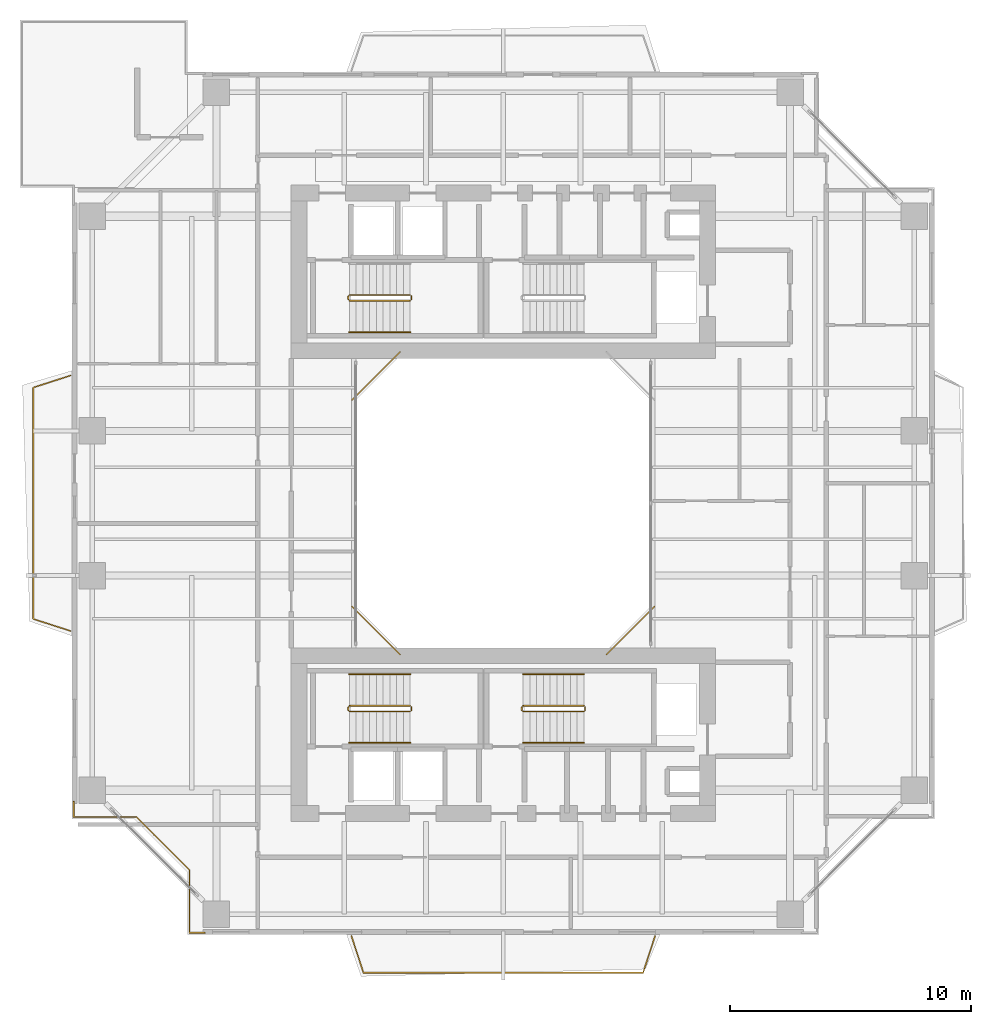
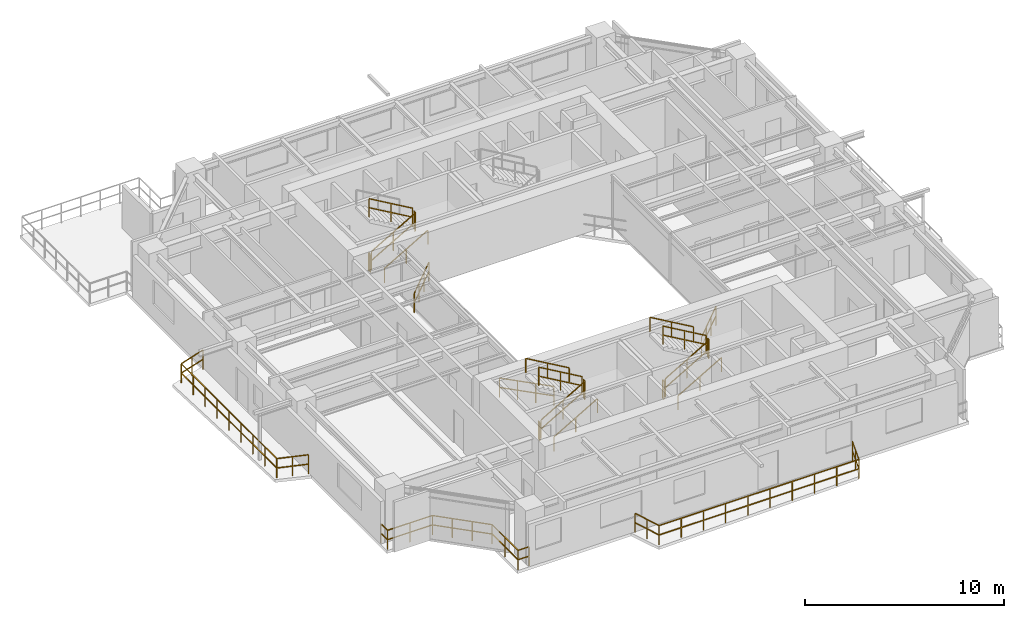
# One storey, part 15 of 17: 23 railings.
"""IFC4 building model written with IfcOpenShell, lengths in metres."""

import ifcopenshell
import ifcopenshell.guid

model = None  # the IFC model being written
_history = None  # IfcOwnerHistory: only IFC2X3 demands one
_inside = {}  # id of a spatial element -> (the spatial element, [elements in it])
_under = {}  # id of a project, library or spatial element -> (it, [spatial elements below it])
_declared = {}  # id of a project -> (the project, [libraries it declares])
_typed = {}  # id of a type object -> (the type object, [elements of that type])
_made_of = {}  # id of a material, layer set ... -> (it, [elements and type objects made of it])


def new_model(schema):
    """Start an empty IFC model of exactly this schema.

    Asked for "IFC4X3", IfcOpenShell would pick the latest addendum, in which some entities
    have other attributes; the version numbers below select the first issue.
    IFC2X3 requires an IfcOwnerHistory on every rooted entity: one is made here for all.
    """
    global model, _history
    if schema == "IFC4X3":
        model = ifcopenshell.file(schema_version=(4, 3, 0, 0))
    else:
        model = ifcopenshell.file(schema=schema)
    _inside.clear()
    _under.clear()
    _declared.clear()
    _typed.clear()
    _made_of.clear()
    _history = None
    if model.schema == "IFC2X3":
        org = make("IfcOrganization", Name="unknown")
        user = make(
            "IfcPersonAndOrganization",
            ThePerson=make("IfcPerson", FamilyName="unknown"),
            TheOrganization=org,
        )
        app = make(
            "IfcApplication",
            ApplicationDeveloper=org,
            Version="unknown",
            ApplicationFullName="unknown",
            ApplicationIdentifier="unknown",
        )
        _history = make(
            "IfcOwnerHistory",
            OwningUser=user,
            OwningApplication=app,
            ChangeAction="ADDED",
            CreationDate=0,
        )
    return model


def make(cls, **values):
    """One entity of the class cls with the attributes given. An attribute that is None is left unset."""
    return model.create_entity(
        cls, **{name: value for name, value in values.items() if value is not None}
    )


def rooted(cls, **values):
    """An entity with a GlobalId (a new one), such as an element, a storey or a relation."""
    return make(cls, GlobalId=ifcopenshell.guid.new(), OwnerHistory=_history, **values)


def si_unit(unit_type, name, prefix=None):
    """IfcSIUnit, for example si_unit("LENGTHUNIT", "METRE", prefix="MILLI")."""
    return make("IfcSIUnit", UnitType=unit_type, Prefix=prefix, Name=name)


def assignment(units):
    """IfcUnitAssignment: the units of a project."""
    return None if units is None else make("IfcUnitAssignment", Units=units)


def point(xyz):
    """IfcCartesianPoint."""
    return None if xyz is None else make("IfcCartesianPoint", Coordinates=xyz)


def direction(xyz):
    """IfcDirection."""
    return None if xyz is None else make("IfcDirection", DirectionRatios=xyz)


def frame(location, z_axis=None, x_axis=None):
    """IfcAxis2Placement3D, a coordinate frame: its origin and axes. An axis left out is left unset."""
    return make(
        "IfcAxis2Placement3D",
        Location=point(location),
        Axis=direction(z_axis),
        RefDirection=direction(x_axis),
    )


def frame_2d(location, x_axis=None):
    """IfcAxis2Placement2D, a coordinate frame in the plane: its origin and x axis."""
    return make(
        "IfcAxis2Placement2D", Location=point(location), RefDirection=direction(x_axis)
    )


def origin():
    """The frame at (0, 0, 0) with its axes left unset."""
    return frame((0.0, 0.0, 0.0))


def origin_2d():
    """The frame at (0, 0) in the plane with its x axis left unset."""
    return frame_2d((0.0, 0.0))


def place(relative_to, where):
    """IfcLocalPlacement: puts the frame where relative to a parent placement (None: the world)."""
    return make(
        "IfcLocalPlacement", PlacementRelTo=relative_to, RelativePlacement=where
    )


def context(
    kind, dimensions, precision=None, world=None, true_north=None, identifier=None
):
    """IfcGeometricRepresentationContext, for example the 3D "Model" context."""
    return make(
        "IfcGeometricRepresentationContext",
        ContextIdentifier=identifier,
        ContextType=kind,
        CoordinateSpaceDimension=dimensions,
        Precision=precision,
        WorldCoordinateSystem=world,
        TrueNorth=true_north,
    )


def subcontext(parent, identifier, kind, view, scale=None):
    """IfcGeometricRepresentationSubContext, for example "Body" below "Model"."""
    return make(
        "IfcGeometricRepresentationSubContext",
        ContextIdentifier=identifier,
        ContextType=kind,
        ParentContext=parent,
        TargetScale=scale,
        TargetView=view,
    )


def project(units=None, contexts=None):
    """IfcProject with its units and contexts."""
    return rooted(
        "IfcProject",
        Name="project",
        RepresentationContexts=contexts,
        UnitsInContext=assignment(units),
    )


def spatial(cls, under=None, at=None, **own):
    """A site, building, storey or space (cls), placed at a placement, below another one or the project."""
    s = rooted(cls, ObjectPlacement=at, **own)
    if under is not None:
        _under.setdefault(under.id(), (under, []))[1].append(s)
    return s


def profile(cls, at=None, kind="AREA", **sizes):
    """A parametric profile (cls). Its sizes go by their IFC names, for example OverallWidth=200.0."""
    return make(cls, ProfileType=kind, Position=at, **sizes)


def rectangle(**sizes):
    """IfcRectangleProfileDef."""
    return profile("IfcRectangleProfileDef", **sizes)


def extrude(swept, where, along, depth):
    """IfcExtrudedAreaSolid: the profile swept, set in the frame where, extruded along a direction by depth."""
    return make(
        "IfcExtrudedAreaSolid",
        SweptArea=swept,
        Position=where,
        ExtrudedDirection=direction(along),
        Depth=depth,
    )


def shape(context_of_items, identifier, shape_type, items):
    """IfcShapeRepresentation: the items that make up one representation, for example the "Body"."""
    return make(
        "IfcShapeRepresentation",
        ContextOfItems=context_of_items,
        RepresentationIdentifier=identifier,
        RepresentationType=shape_type,
        Items=items,
    )


def material(Name=None, Category=None):
    """IfcMaterial."""
    return make("IfcMaterial", Name=Name, Category=Category)


def made_of(thing, what):
    """Note that an element or type object is made of a material, layer set ...; save() writes the relation."""
    if what is not None:
        _made_of.setdefault(what.id(), (what, []))[1].append(thing)
    return thing


def type_object(cls, material=None, **own):
    """A type object (cls), such as IfcWallType, which elements share."""
    return made_of(rooted(cls, **own), material)


def element(
    cls,
    number,
    at=None,
    inside=None,
    cuts=None,
    type_object=None,
    material=None,
    context=None,
    identifier="Body",
    shape_type=None,
    held_by="IfcProductDefinitionShape",
    body=None,
    shapes=None,
    **own,
):
    """One element of the class cls, such as IfcWall. Its Tag is "e" and its number.

    at: its placement. inside: the storey or other place that contains it. cuts: it is an
    opening in that element (IfcRelVoidsElement). A single representation is given by context,
    identifier, shape_type and body (its items); several are given by shapes. held_by: the class
    of the entity that holds the representations. save() writes the other relations.
    """
    e = rooted(cls, Tag="e%d" % number, ObjectPlacement=at, **own)
    if body is not None:
        shapes = [shape(context, identifier, shape_type, body)]
    if shapes is not None:
        e.Representation = make(held_by, Representations=shapes)
    if inside is not None:
        _inside.setdefault(inside.id(), (inside, []))[1].append(e)
    if cuts is not None:
        rooted(
            "IfcRelVoidsElement", RelatingBuildingElement=cuts, RelatedOpeningElement=e
        )
    if type_object is not None:
        _typed.setdefault(type_object.id(), (type_object, []))[1].append(e)
    return made_of(e, material)


def aggregate(whole, parts):
    """IfcRelAggregates: a whole, such as a stair, and the parts it consists of."""
    return rooted("IfcRelAggregates", RelatingObject=whole, RelatedObjects=parts)


def save(model, path):
    """Write the relations noted so far, then the file.

    IfcRelAggregates (storeys below a building ...), IfcRelContainedInSpatialStructure (elements
    in a storey), IfcRelDefinesByType, IfcRelAssociatesMaterial and IfcRelDeclares: one each for
    every whole, place, type object, material and project.
    """
    for whole, parts in _under.values():
        aggregate(whole, parts)
    for where, things in _inside.values():
        rooted(
            "IfcRelContainedInSpatialStructure",
            RelatedElements=things,
            RelatingStructure=where,
        )
    for kind, things in _typed.values():
        rooted("IfcRelDefinesByType", RelatedObjects=things, RelatingType=kind)
    for what, things in _made_of.values():
        rooted("IfcRelAssociatesMaterial", RelatedObjects=things, RelatingMaterial=what)
    for by, libraries in _declared.values():
        rooted("IfcRelDeclares", RelatingContext=by, RelatedDefinitions=libraries)
    model.write(path)


model = new_model("IFC4")

# Units and contexts
model_context = context("Model", 3, precision=1e-05, world=origin(), true_north=direction((0.0, 1.0)))
body_context = subcontext(model_context, "Body", "Model", "MODEL_VIEW")
ifc_project = project(units=[si_unit("LENGTHUNIT", "METRE"), si_unit("AREAUNIT", "SQUARE_METRE"), si_unit("VOLUMEUNIT", "CUBIC_METRE"), si_unit("PLANEANGLEUNIT", "RADIAN"), si_unit("MASSUNIT", "GRAM", prefix="KILO"), si_unit("THERMODYNAMICTEMPERATUREUNIT", "KELVIN"), si_unit("POWERUNIT", "WATT")], contexts=[model_context])

# Site, building, storey
site_placement = place(None, origin())
site = spatial("IfcSite", under=ifc_project, at=site_placement, CompositionType="ELEMENT")
building_placement = place(site_placement, origin())
building = spatial("IfcBuilding", under=site, at=building_placement, Name="Qiaomeng Ring Towers", CompositionType="ELEMENT")
storey_placement = place(building_placement, frame((0.0, 0.0, 132.75)))
storey = spatial("IfcBuildingStorey", under=building, at=storey_placement, Name="L38", CompositionType="ELEMENT", Elevation=132.75)

# Railings
ifc_material_1 = material(Name="Low-E pale-green laminated safety glass", Category="glass")
railing_type_1 = type_object("IfcRailingType", Name="ARC-RL-BAL1", PredefinedType="BALUSTRADE", material=ifc_material_1)
railing_1_placement = place(storey_placement, frame((23.280029296875, 16.719970703125, 0.0)))
element("IfcRailing", 1, at=railing_1_placement, inside=storey, type_object=railing_type_1, Name="L38 Balustrade ARC-BAL-WELL1-L38-1", PredefinedType="BALUSTRADE", context=body_context, shape_type="SweptSolid", body=[
    extrude(rectangle(XDim=0.048095703125, YDim=0.048095703125, at=origin_2d()), frame((0.0, 0.0, 1.17578125), z_axis=(0.707106781187, 0.707106781187, 0.0), x_axis=(-0.707106781187, 0.707106781187, 0.0)), (0.0, 0.0, 1.0), 2.828369140625),
    extrude(rectangle(XDim=0.048095703125, YDim=0.048095703125, at=origin_2d()), frame((0.0, 0.0, 0.60009765625), z_axis=(0.707106781187, 0.707106781187, 0.0), x_axis=(-0.707106781187, 0.707106781187, 0.0)), (0.0, 0.0, 1.0), 2.828369140625),
    extrude(rectangle(XDim=0.0419921875, YDim=0.0419921875, at=origin_2d()), origin(), (0.0, 0.0, 1.0), 1.15185546875),
    extrude(rectangle(XDim=0.0419921875, YDim=0.0419921875, at=origin_2d()), frame((0.666748046875, 0.666748046875, 0.0)), (0.0, 0.0, 1.0), 1.15185546875),
    extrude(rectangle(XDim=0.0419921875, YDim=0.0419921875, at=origin_2d()), frame((1.333251953125, 1.333251953125, 0.0)), (0.0, 0.0, 1.0), 1.15185546875),
    extrude(rectangle(XDim=0.0419921875, YDim=0.0419921875, at=origin_2d()), frame((2.0, 2.0, 0.0)), (0.0, 0.0, 1.0), 1.15185546875),
])
railing_2_placement = place(storey_placement, frame((14.719970703125, 29.280029296875, 0.0)))
element("IfcRailing", 2, at=railing_2_placement, inside=storey, type_object=railing_type_1, Name="L38 Balustrade ARC-BAL-WELL1-L38-3", PredefinedType="BALUSTRADE", context=body_context, shape_type="SweptSolid", body=[
    extrude(rectangle(XDim=0.048095703125, YDim=0.048095703125, at=origin_2d()), frame((0.0, 0.0, 1.17578125), z_axis=(-0.707106781187, -0.707106781187, 0.0), x_axis=(0.707106781187, -0.707106781187, 0.0)), (0.0, 0.0, 1.0), 2.828369140625),
    extrude(rectangle(XDim=0.048095703125, YDim=0.048095703125, at=origin_2d()), frame((0.0, 0.0, 0.60009765625), z_axis=(-0.707106781187, -0.707106781187, 0.0), x_axis=(0.707106781187, -0.707106781187, 0.0)), (0.0, 0.0, 1.0), 2.828369140625),
    extrude(rectangle(XDim=0.0419921875, YDim=0.0419921875, at=origin_2d()), origin(), (0.0, 0.0, 1.0), 1.15185546875),
    extrude(rectangle(XDim=0.0419921875, YDim=0.0419921875, at=origin_2d()), frame((-0.666748046875, -0.666748046875, 0.0)), (0.0, 0.0, 1.0), 1.15185546875),
    extrude(rectangle(XDim=0.0419921875, YDim=0.0419921875, at=origin_2d()), frame((-1.333251953125, -1.333251953125, 0.0)), (0.0, 0.0, 1.0), 1.15185546875),
    extrude(rectangle(XDim=0.0419921875, YDim=0.0419921875, at=origin_2d()), frame((-2.0, -2.0, 0.0)), (0.0, 0.0, 1.0), 1.15185546875),
])
railing_3_placement = place(storey_placement, frame((12.719970703125, 18.719970703125, 0.0)))
element("IfcRailing", 3, at=railing_3_placement, inside=storey, type_object=railing_type_1, Name="L38 Balustrade ARC-BAL-WELL1-L38-4", PredefinedType="BALUSTRADE", context=body_context, shape_type="SweptSolid", body=[
    extrude(rectangle(XDim=0.048095703125, YDim=0.048095703125, at=origin_2d()), frame((0.0, 0.0, 1.17578125), z_axis=(0.707106781187, -0.707106781187, 0.0), x_axis=(0.707106781187, 0.707106781187, 0.0)), (0.0, 0.0, 1.0), 2.828369140625),
    extrude(rectangle(XDim=0.048095703125, YDim=0.048095703125, at=origin_2d()), frame((0.0, 0.0, 0.60009765625), z_axis=(0.707106781187, -0.707106781187, 0.0), x_axis=(0.707106781187, 0.707106781187, 0.0)), (0.0, 0.0, 1.0), 2.828369140625),
    extrude(rectangle(XDim=0.0419921875, YDim=0.0419921875, at=origin_2d()), origin(), (0.0, 0.0, 1.0), 1.15185546875),
    extrude(rectangle(XDim=0.0419921875, YDim=0.0419921875, at=origin_2d()), frame((0.666748046875, -0.666748046875, 0.0)), (0.0, 0.0, 1.0), 1.15185546875),
    extrude(rectangle(XDim=0.0419921875, YDim=0.0419921875, at=origin_2d()), frame((1.333251953125, -1.333251953125, 0.0)), (0.0, 0.0, 1.0), 1.15185546875),
    extrude(rectangle(XDim=0.0419921875, YDim=0.0419921875, at=origin_2d()), frame((2.0, -2.0, 0.0)), (0.0, 0.0, 1.0), 1.15185546875),
])
railing_4_placement = place(storey_placement, frame((1.179931640625, 10.6298828125, 0.0)))
element("IfcRailing", 4, at=railing_4_placement, inside=storey, type_object=railing_type_1, Name="L38 Balustrade ARC-BAL-NOTCH1-L38-SW", PredefinedType="BALUSTRADE", context=body_context, shape_type="SweptSolid", body=[
    extrude(rectangle(XDim=0.048095703125, YDim=0.048095703125, at=origin_2d()), frame((0.0, 0.0, 1.17578125), z_axis=(0.0, -1.0, 0.0), x_axis=(1.0, 0.0, 0.0)), (0.0, 0.0, 1.0), 0.64990234375),
    extrude(rectangle(XDim=0.048095703125, YDim=0.048095703125, at=origin_2d()), frame((0.0, 0.0, 0.60009765625), z_axis=(0.0, -1.0, 0.0), x_axis=(1.0, 0.0, 0.0)), (0.0, 0.0, 1.0), 0.64990234375),
    extrude(rectangle(XDim=0.048095703125, YDim=0.048095703125, at=origin_2d()), frame((0.0, -0.64990234375, 1.17578125), z_axis=(1.0, 0.0, 0.0), x_axis=(0.0, 1.0, 0.0)), (0.0, 0.0, 1.0), 2.60009765625),
    extrude(rectangle(XDim=0.048095703125, YDim=0.048095703125, at=origin_2d()), frame((0.0, -0.64990234375, 0.60009765625), z_axis=(1.0, 0.0, 0.0), x_axis=(0.0, 1.0, 0.0)), (0.0, 0.0, 1.0), 2.60009765625),
    extrude(rectangle(XDim=0.048095703125, YDim=0.048095703125, at=origin_2d()), frame((2.60009765625, -0.64990234375, 1.17578125), z_axis=(0.707106781187, -0.707106781187, 0.0), x_axis=(0.707106781187, 0.707106781187, 0.0)), (0.0, 0.0, 1.0), 3.111083984375),
    extrude(rectangle(XDim=0.048095703125, YDim=0.048095703125, at=origin_2d()), frame((2.60009765625, -0.64990234375, 0.60009765625), z_axis=(0.707106781187, -0.707106781187, 0.0), x_axis=(0.707106781187, 0.707106781187, 0.0)), (0.0, 0.0, 1.0), 3.111083984375),
    extrude(rectangle(XDim=0.048095703125, YDim=0.048095703125, at=origin_2d()), frame((4.800048828125, -2.849853515625, 1.17578125), z_axis=(0.0, -1.0, 0.0), x_axis=(1.0, 0.0, 0.0)), (0.0, 0.0, 1.0), 2.60009765625),
    extrude(rectangle(XDim=0.048095703125, YDim=0.048095703125, at=origin_2d()), frame((4.800048828125, -2.849853515625, 0.60009765625), z_axis=(0.0, -1.0, 0.0), x_axis=(1.0, 0.0, 0.0)), (0.0, 0.0, 1.0), 2.60009765625),
    extrude(rectangle(XDim=0.048095703125, YDim=0.048095703125, at=origin_2d()), frame((4.800048828125, -5.449951171875, 1.17578125), z_axis=(1.0, 0.0, 0.0), x_axis=(0.0, 1.0, 0.0)), (0.0, 0.0, 1.0), 0.64990234375),
    extrude(rectangle(XDim=0.048095703125, YDim=0.048095703125, at=origin_2d()), frame((4.800048828125, -5.449951171875, 0.60009765625), z_axis=(1.0, 0.0, 0.0), x_axis=(0.0, 1.0, 0.0)), (0.0, 0.0, 1.0), 0.64990234375),
    extrude(rectangle(XDim=0.0419921875, YDim=0.0419921875, at=origin_2d()), origin(), (0.0, 0.0, 1.0), 1.15185546875),
    extrude(rectangle(XDim=0.0419921875, YDim=0.0419921875, at=origin_2d()), frame((0.0, -0.64990234375, 0.0)), (0.0, 0.0, 1.0), 1.15185546875),
    extrude(rectangle(XDim=0.0419921875, YDim=0.0419921875, at=origin_2d()), frame((1.300048828125, -0.64990234375, 0.0)), (0.0, 0.0, 1.0), 1.15185546875),
    extrude(rectangle(XDim=0.0419921875, YDim=0.0419921875, at=origin_2d()), frame((2.60009765625, -0.64990234375, 0.0)), (0.0, 0.0, 1.0), 1.15185546875),
    extrude(rectangle(XDim=0.0419921875, YDim=0.0419921875, at=origin_2d()), frame((3.33349609375, -1.38330078125, 0.0)), (0.0, 0.0, 1.0), 1.15185546875),
    extrude(rectangle(XDim=0.0419921875, YDim=0.0419921875, at=origin_2d()), frame((4.066650390625, -2.116455078125, 0.0)), (0.0, 0.0, 1.0), 1.15185546875),
    extrude(rectangle(XDim=0.0419921875, YDim=0.0419921875, at=origin_2d()), frame((4.800048828125, -2.849853515625, 0.0)), (0.0, 0.0, 1.0), 1.15185546875),
    extrude(rectangle(XDim=0.0419921875, YDim=0.0419921875, at=origin_2d()), frame((4.800048828125, -4.14990234375, 0.0)), (0.0, 0.0, 1.0), 1.15185546875),
    extrude(rectangle(XDim=0.0419921875, YDim=0.0419921875, at=origin_2d()), frame((4.800048828125, -5.449951171875, 0.0)), (0.0, 0.0, 1.0), 1.15185546875),
    extrude(rectangle(XDim=0.0419921875, YDim=0.0419921875, at=origin_2d()), frame((5.449951171875, -5.449951171875, 0.0)), (0.0, 0.0, 1.0), 1.15185546875),
])
railing_5_placement = place(storey_placement, frame((12.699951171875, 5.050048828125, 0.0)))
element("IfcRailing", 5, at=railing_5_placement, inside=storey, type_object=railing_type_1, Name="L38 Balustrade ARC-BAL-L38-T1-S", PredefinedType="BALUSTRADE", context=body_context, shape_type="SweptSolid", body=[
    extrude(rectangle(XDim=0.048095703125, YDim=0.048095703125, at=origin_2d()), frame((0.0, 0.0, 1.17578125), z_axis=(0.310625543041, -0.950532362421, 0.0), x_axis=(0.950532362421, 0.310625543041, 0.0)), (0.0, 0.0, 1.0), 1.609619140625),
    extrude(rectangle(XDim=0.048095703125, YDim=0.048095703125, at=origin_2d()), frame((0.0, 0.0, 0.60009765625), z_axis=(0.310625543041, -0.950532362421, 0.0), x_axis=(0.950532362421, 0.310625543041, 0.0)), (0.0, 0.0, 1.0), 1.609619140625),
    extrude(rectangle(XDim=0.048095703125, YDim=0.048095703125, at=origin_2d()), frame((0.5, -1.530029296875, 1.17578125), z_axis=(1.0, 0.0, 0.0), x_axis=(0.0, 1.0, 0.0)), (0.0, 0.0, 1.0), 11.60009765625),
    extrude(rectangle(XDim=0.048095703125, YDim=0.048095703125, at=origin_2d()), frame((0.5, -1.530029296875, 0.60009765625), z_axis=(1.0, 0.0, 0.0), x_axis=(0.0, 1.0, 0.0)), (0.0, 0.0, 1.0), 11.60009765625),
    extrude(rectangle(XDim=0.048095703125, YDim=0.048095703125, at=origin_2d()), frame((12.10009765625, -1.530029296875, 1.17578125), z_axis=(0.310625543041, 0.950532362421, 0.0), x_axis=(-0.950532362421, 0.310625543041, 0.0)), (0.0, 0.0, 1.0), 1.609619140625),
    extrude(rectangle(XDim=0.048095703125, YDim=0.048095703125, at=origin_2d()), frame((12.10009765625, -1.530029296875, 0.60009765625), z_axis=(0.310625543041, 0.950532362421, 0.0), x_axis=(-0.950532362421, 0.310625543041, 0.0)), (0.0, 0.0, 1.0), 1.609619140625),
    extrude(rectangle(XDim=0.0419921875, YDim=0.0419921875, at=origin_2d()), origin(), (0.0, 0.0, 1.0), 1.15185546875),
    extrude(rectangle(XDim=0.0419921875, YDim=0.0419921875, at=origin_2d()), frame((0.25, -0.76513671875, 0.0)), (0.0, 0.0, 1.0), 1.15185546875),
    extrude(rectangle(XDim=0.0419921875, YDim=0.0419921875, at=origin_2d()), frame((0.5, -1.530029296875, 0.0)), (0.0, 0.0, 1.0), 1.15185546875),
    extrude(rectangle(XDim=0.0419921875, YDim=0.0419921875, at=origin_2d()), frame((1.788818359375, -1.530029296875, 0.0)), (0.0, 0.0, 1.0), 1.15185546875),
    extrude(rectangle(XDim=0.0419921875, YDim=0.0419921875, at=origin_2d()), frame((3.077880859375, -1.530029296875, 0.0)), (0.0, 0.0, 1.0), 1.15185546875),
    extrude(rectangle(XDim=0.0419921875, YDim=0.0419921875, at=origin_2d()), frame((4.36669921875, -1.530029296875, 0.0)), (0.0, 0.0, 1.0), 1.15185546875),
    extrude(rectangle(XDim=0.0419921875, YDim=0.0419921875, at=origin_2d()), frame((5.655517578125, -1.530029296875, 0.0)), (0.0, 0.0, 1.0), 1.15185546875),
    extrude(rectangle(XDim=0.0419921875, YDim=0.0419921875, at=origin_2d()), frame((6.944580078125, -1.530029296875, 0.0)), (0.0, 0.0, 1.0), 1.15185546875),
    extrude(rectangle(XDim=0.0419921875, YDim=0.0419921875, at=origin_2d()), frame((8.2333984375, -1.530029296875, 0.0)), (0.0, 0.0, 1.0), 1.15185546875),
    extrude(rectangle(XDim=0.0419921875, YDim=0.0419921875, at=origin_2d()), frame((9.522216796875, -1.530029296875, 0.0)), (0.0, 0.0, 1.0), 1.15185546875),
    extrude(rectangle(XDim=0.0419921875, YDim=0.0419921875, at=origin_2d()), frame((10.811279296875, -1.530029296875, 0.0)), (0.0, 0.0, 1.0), 1.15185546875),
    extrude(rectangle(XDim=0.0419921875, YDim=0.0419921875, at=origin_2d()), frame((12.10009765625, -1.530029296875, 0.0)), (0.0, 0.0, 1.0), 1.15185546875),
    extrude(rectangle(XDim=0.0419921875, YDim=0.0419921875, at=origin_2d()), frame((12.35009765625, -0.76513671875, 0.0)), (0.0, 0.0, 1.0), 1.15185546875),
    extrude(rectangle(XDim=0.0419921875, YDim=0.0419921875, at=origin_2d()), frame((12.60009765625, 0.0, 0.0)), (0.0, 0.0, 1.0), 1.15185546875),
])
railing_6_placement = place(storey_placement, frame((1.050048828125, 17.699951171875, 0.0)))
element("IfcRailing", 6, at=railing_6_placement, inside=storey, type_object=railing_type_1, Name="L38 Balustrade ARC-BAL-L38-T1-W", PredefinedType="BALUSTRADE", context=body_context, shape_type="SweptSolid", body=[
    extrude(rectangle(XDim=0.048095703125, YDim=0.048095703125, at=origin_2d()), frame((0.0, 0.0, 1.17578125), z_axis=(-0.951711443346, 0.306994020471, 0.0), x_axis=(-0.306994020471, -0.951711443346, 0.0)), (0.0, 0.0, 1.0), 1.628662109375),
    extrude(rectangle(XDim=0.048095703125, YDim=0.048095703125, at=origin_2d()), frame((0.0, 0.0, 0.60009765625), z_axis=(-0.951711443346, 0.306994020471, 0.0), x_axis=(-0.306994020471, -0.951711443346, 0.0)), (0.0, 0.0, 1.0), 1.628662109375),
    extrude(rectangle(XDim=0.048095703125, YDim=0.048095703125, at=origin_2d()), frame((-1.550048828125, 0.5, 1.17578125), z_axis=(0.0, 1.0, 0.0), x_axis=(-1.0, 0.0, 0.0)), (0.0, 0.0, 1.0), 9.60009765625),
    extrude(rectangle(XDim=0.048095703125, YDim=0.048095703125, at=origin_2d()), frame((-1.550048828125, 0.5, 0.60009765625), z_axis=(0.0, 1.0, 0.0), x_axis=(-1.0, 0.0, 0.0)), (0.0, 0.0, 1.0), 9.60009765625),
    extrude(rectangle(XDim=0.048095703125, YDim=0.048095703125, at=origin_2d()), frame((-1.550048828125, 10.10009765625, 1.17578125), z_axis=(0.951711443346, 0.306994020471, 0.0), x_axis=(-0.306994020471, 0.951711443346, 0.0)), (0.0, 0.0, 1.0), 1.628662109375),
    extrude(rectangle(XDim=0.048095703125, YDim=0.048095703125, at=origin_2d()), frame((-1.550048828125, 10.10009765625, 0.60009765625), z_axis=(0.951711443346, 0.306994020471, 0.0), x_axis=(-0.306994020471, 0.951711443346, 0.0)), (0.0, 0.0, 1.0), 1.628662109375),
    extrude(rectangle(XDim=0.0419921875, YDim=0.0419921875, at=origin_2d()), origin(), (0.0, 0.0, 1.0), 1.15185546875),
    extrude(rectangle(XDim=0.0419921875, YDim=0.0419921875, at=origin_2d()), frame((-0.77490234375, 0.25, 0.0)), (0.0, 0.0, 1.0), 1.15185546875),
    extrude(rectangle(XDim=0.0419921875, YDim=0.0419921875, at=origin_2d()), frame((-1.550048828125, 0.5, 0.0)), (0.0, 0.0, 1.0), 1.15185546875),
    extrude(rectangle(XDim=0.0419921875, YDim=0.0419921875, at=origin_2d()), frame((-1.550048828125, 1.699951171875, 0.0)), (0.0, 0.0, 1.0), 1.15185546875),
    extrude(rectangle(XDim=0.0419921875, YDim=0.0419921875, at=origin_2d()), frame((-1.550048828125, 2.89990234375, 0.0)), (0.0, 0.0, 1.0), 1.15185546875),
    extrude(rectangle(XDim=0.0419921875, YDim=0.0419921875, at=origin_2d()), frame((-1.550048828125, 4.10009765625, 0.0)), (0.0, 0.0, 1.0), 1.15185546875),
    extrude(rectangle(XDim=0.0419921875, YDim=0.0419921875, at=origin_2d()), frame((-1.550048828125, 5.300048828125, 0.0)), (0.0, 0.0, 1.0), 1.15185546875),
    extrude(rectangle(XDim=0.0419921875, YDim=0.0419921875, at=origin_2d()), frame((-1.550048828125, 6.5, 0.0)), (0.0, 0.0, 1.0), 1.15185546875),
    extrude(rectangle(XDim=0.0419921875, YDim=0.0419921875, at=origin_2d()), frame((-1.550048828125, 7.7001953125, 0.0)), (0.0, 0.0, 1.0), 1.15185546875),
    extrude(rectangle(XDim=0.0419921875, YDim=0.0419921875, at=origin_2d()), frame((-1.550048828125, 8.900146484375, 0.0)), (0.0, 0.0, 1.0), 1.15185546875),
    extrude(rectangle(XDim=0.0419921875, YDim=0.0419921875, at=origin_2d()), frame((-1.550048828125, 10.10009765625, 0.0)), (0.0, 0.0, 1.0), 1.15185546875),
    extrude(rectangle(XDim=0.0419921875, YDim=0.0419921875, at=origin_2d()), frame((-0.77490234375, 10.35009765625, 0.0)), (0.0, 0.0, 1.0), 1.15185546875),
    extrude(rectangle(XDim=0.0419921875, YDim=0.0419921875, at=origin_2d()), frame((0.0, 10.60009765625, 0.0)), (0.0, 0.0, 1.0), 1.15185546875),
])
ifc_material_2 = material(Name="Galvanised steel", Category="steel")
railing_type_2 = type_object("IfcRailingType", Name="ARC-RL-GUARD", PredefinedType="GUARDRAIL", material=ifc_material_2)
railing_7_placement = place(storey_placement, frame((12.6201171875, 31.39990234375, 0.16259765625)))
element("IfcRailing", 7, at=railing_7_placement, inside=storey, type_object=railing_type_2, Name="L38 ST1 stair guard 1", PredefinedType="GUARDRAIL", context=body_context, shape_type="SweptSolid", body=[
    extrude(rectangle(XDim=0.048095703125, YDim=0.048095703125, at=origin_2d()), frame((0.0, 0.0, 1.1259765625), z_axis=(0.864892226395, 0.0, 0.501957604506), x_axis=(0.0, 1.0, 0.0)), (0.0, 0.0, 1.0), 2.913330078125),
    extrude(rectangle(XDim=0.048095703125, YDim=0.048095703125, at=origin_2d()), frame((0.0, 0.0, 0.574951171875), z_axis=(0.864892226395, 0.0, 0.501957604506), x_axis=(0.0, 1.0, 0.0)), (0.0, 0.0, 1.0), 2.913330078125),
    extrude(rectangle(XDim=0.0419921875, YDim=0.0419921875, at=origin_2d()), origin(), (0.0, 0.0, 1.0), 1.101806640625),
    extrude(rectangle(XDim=0.0419921875, YDim=0.0419921875, at=origin_2d()), frame((1.259765625, 0.0, 0.731201171875)), (0.0, 0.0, 1.0), 1.101806640625),
    extrude(rectangle(XDim=0.0419921875, YDim=0.0419921875, at=origin_2d()), frame((2.519775390625, 0.0, 1.46240234375)), (0.0, 0.0, 1.0), 1.101806640625),
])
railing_8_placement = place(storey_placement, frame((15.18994140625, 31.449951171875, 1.625)))
element("IfcRailing", 8, at=railing_8_placement, inside=storey, type_object=railing_type_2, Name="L38 ST1 stair guard 2", PredefinedType="GUARDRAIL", context=body_context, shape_type="SweptSolid", body=[
    extrude(rectangle(XDim=0.048095703125, YDim=0.048095703125, at=origin_2d()), frame((0.0, 0.0, 1.1259765625), z_axis=(0.0, 1.0, 0.0), x_axis=(-1.0, 0.0, 0.0)), (0.0, 0.0, 1.0), 0.14013671875),
    extrude(rectangle(XDim=0.048095703125, YDim=0.048095703125, at=origin_2d()), frame((0.0, 0.0, 0.574951171875), z_axis=(0.0, 1.0, 0.0), x_axis=(-1.0, 0.0, 0.0)), (0.0, 0.0, 1.0), 0.14013671875),
    extrude(rectangle(XDim=0.0419921875, YDim=0.0419921875, at=origin_2d()), origin(), (0.0, 0.0, 1.0), 1.101806640625),
    extrude(rectangle(XDim=0.0419921875, YDim=0.0419921875, at=origin_2d()), frame((0.0, 0.14013671875, 0.0)), (0.0, 0.0, 1.0), 1.101806640625),
])
railing_9_placement = place(storey_placement, frame((15.139892578125, 31.639892578125, 1.78759765625)))
element("IfcRailing", 9, at=railing_9_placement, inside=storey, type_object=railing_type_2, Name="L38 ST1 stair guard 3", PredefinedType="GUARDRAIL", context=body_context, shape_type="SweptSolid", body=[
    extrude(rectangle(XDim=0.048095703125, YDim=0.048095703125, at=origin_2d()), frame((0.0, 0.0, 1.1259765625), z_axis=(-0.864892226395, 0.0, 0.501957604506), x_axis=(0.0, -1.0, 0.0)), (0.0, 0.0, 1.0), 2.913330078125),
    extrude(rectangle(XDim=0.048095703125, YDim=0.048095703125, at=origin_2d()), frame((0.0, 0.0, 0.574951171875), z_axis=(-0.864892226395, 0.0, 0.501957604506), x_axis=(0.0, -1.0, 0.0)), (0.0, 0.0, 1.0), 2.913330078125),
    extrude(rectangle(XDim=0.0419921875, YDim=0.0419921875, at=origin_2d()), origin(), (0.0, 0.0, 1.0), 1.101806640625),
    extrude(rectangle(XDim=0.0419921875, YDim=0.0419921875, at=origin_2d()), frame((-1.259765625, 0.0, 0.731201171875)), (0.0, 0.0, 1.0), 1.101806640625),
    extrude(rectangle(XDim=0.0419921875, YDim=0.0419921875, at=origin_2d()), frame((-2.519775390625, 0.0, 1.46240234375)), (0.0, 0.0, 1.0), 1.101806640625),
])
railing_10_placement = place(storey_placement, frame((12.570068359375, 31.449951171875, 0.0)))
element("IfcRailing", 10, at=railing_10_placement, inside=storey, type_object=railing_type_2, Name="L38 ST1 stair guard 4", PredefinedType="GUARDRAIL", context=body_context, shape_type="SweptSolid", body=[
    extrude(rectangle(XDim=0.048095703125, YDim=0.048095703125, at=origin_2d()), frame((0.0, 0.0, 1.1259765625), z_axis=(0.0, 1.0, 0.0), x_axis=(-1.0, 0.0, 0.0)), (0.0, 0.0, 1.0), 0.14013671875),
    extrude(rectangle(XDim=0.048095703125, YDim=0.048095703125, at=origin_2d()), frame((0.0, 0.0, 0.574951171875), z_axis=(0.0, 1.0, 0.0), x_axis=(-1.0, 0.0, 0.0)), (0.0, 0.0, 1.0), 0.14013671875),
    extrude(rectangle(XDim=0.0419921875, YDim=0.0419921875, at=origin_2d()), origin(), (0.0, 0.0, 1.0), 1.101806640625),
    extrude(rectangle(XDim=0.0419921875, YDim=0.0419921875, at=origin_2d()), frame((0.0, 0.14013671875, 0.0)), (0.0, 0.0, 1.0), 1.101806640625),
])
railing_11_placement = place(storey_placement, frame((12.6201171875, 14.360107421875, 0.16259765625)))
element("IfcRailing", 11, at=railing_11_placement, inside=storey, type_object=railing_type_2, Name="L38 ST3 stair guard 1", PredefinedType="GUARDRAIL", context=body_context, shape_type="SweptSolid", body=[
    extrude(rectangle(XDim=0.048095703125, YDim=0.048095703125, at=origin_2d()), frame((0.0, 0.0, 1.1259765625), z_axis=(0.864892226395, 0.0, 0.501957604506), x_axis=(0.0, 1.0, 0.0)), (0.0, 0.0, 1.0), 2.913330078125),
    extrude(rectangle(XDim=0.048095703125, YDim=0.048095703125, at=origin_2d()), frame((0.0, 0.0, 0.574951171875), z_axis=(0.864892226395, 0.0, 0.501957604506), x_axis=(0.0, 1.0, 0.0)), (0.0, 0.0, 1.0), 2.913330078125),
    extrude(rectangle(XDim=0.0419921875, YDim=0.0419921875, at=origin_2d()), origin(), (0.0, 0.0, 1.0), 1.101806640625),
    extrude(rectangle(XDim=0.0419921875, YDim=0.0419921875, at=origin_2d()), frame((1.259765625, 0.0, 0.731201171875)), (0.0, 0.0, 1.0), 1.101806640625),
    extrude(rectangle(XDim=0.0419921875, YDim=0.0419921875, at=origin_2d()), frame((2.519775390625, 0.0, 1.46240234375)), (0.0, 0.0, 1.0), 1.101806640625),
])
railing_12_placement = place(storey_placement, frame((15.18994140625, 14.409912109375, 1.625)))
element("IfcRailing", 12, at=railing_12_placement, inside=storey, type_object=railing_type_2, Name="L38 ST3 stair guard 2", PredefinedType="GUARDRAIL", context=body_context, shape_type="SweptSolid", body=[
    extrude(rectangle(XDim=0.048095703125, YDim=0.048095703125, at=origin_2d()), frame((0.0, 0.0, 1.1259765625), z_axis=(0.0, 1.0, 0.0), x_axis=(-1.0, 0.0, 0.0)), (0.0, 0.0, 1.0), 0.14013671875),
    extrude(rectangle(XDim=0.048095703125, YDim=0.048095703125, at=origin_2d()), frame((0.0, 0.0, 0.574951171875), z_axis=(0.0, 1.0, 0.0), x_axis=(-1.0, 0.0, 0.0)), (0.0, 0.0, 1.0), 0.14013671875),
    extrude(rectangle(XDim=0.0419921875, YDim=0.0419921875, at=origin_2d()), origin(), (0.0, 0.0, 1.0), 1.101806640625),
    extrude(rectangle(XDim=0.0419921875, YDim=0.0419921875, at=origin_2d()), frame((0.0, 0.14013671875, 0.0)), (0.0, 0.0, 1.0), 1.101806640625),
])
railing_13_placement = place(storey_placement, frame((15.139892578125, 14.60009765625, 1.78759765625)))
element("IfcRailing", 13, at=railing_13_placement, inside=storey, type_object=railing_type_2, Name="L38 ST3 stair guard 3", PredefinedType="GUARDRAIL", context=body_context, shape_type="SweptSolid", body=[
    extrude(rectangle(XDim=0.048095703125, YDim=0.048095703125, at=origin_2d()), frame((0.0, 0.0, 1.1259765625), z_axis=(-0.864892226395, 0.0, 0.501957604506), x_axis=(0.0, -1.0, 0.0)), (0.0, 0.0, 1.0), 2.913330078125),
    extrude(rectangle(XDim=0.048095703125, YDim=0.048095703125, at=origin_2d()), frame((0.0, 0.0, 0.574951171875), z_axis=(-0.864892226395, 0.0, 0.501957604506), x_axis=(0.0, -1.0, 0.0)), (0.0, 0.0, 1.0), 2.913330078125),
    extrude(rectangle(XDim=0.0419921875, YDim=0.0419921875, at=origin_2d()), origin(), (0.0, 0.0, 1.0), 1.101806640625),
    extrude(rectangle(XDim=0.0419921875, YDim=0.0419921875, at=origin_2d()), frame((-1.259765625, 0.0, 0.731201171875)), (0.0, 0.0, 1.0), 1.101806640625),
    extrude(rectangle(XDim=0.0419921875, YDim=0.0419921875, at=origin_2d()), frame((-2.519775390625, 0.0, 1.46240234375)), (0.0, 0.0, 1.0), 1.101806640625),
])
railing_14_placement = place(storey_placement, frame((12.570068359375, 14.409912109375, 0.0)))
element("IfcRailing", 14, at=railing_14_placement, inside=storey, type_object=railing_type_2, Name="L38 ST3 stair guard 4", PredefinedType="GUARDRAIL", context=body_context, shape_type="SweptSolid", body=[
    extrude(rectangle(XDim=0.048095703125, YDim=0.048095703125, at=origin_2d()), frame((0.0, 0.0, 1.1259765625), z_axis=(0.0, 1.0, 0.0), x_axis=(-1.0, 0.0, 0.0)), (0.0, 0.0, 1.0), 0.14013671875),
    extrude(rectangle(XDim=0.048095703125, YDim=0.048095703125, at=origin_2d()), frame((0.0, 0.0, 0.574951171875), z_axis=(0.0, 1.0, 0.0), x_axis=(-1.0, 0.0, 0.0)), (0.0, 0.0, 1.0), 0.14013671875),
    extrude(rectangle(XDim=0.0419921875, YDim=0.0419921875, at=origin_2d()), origin(), (0.0, 0.0, 1.0), 1.101806640625),
    extrude(rectangle(XDim=0.0419921875, YDim=0.0419921875, at=origin_2d()), frame((0.0, 0.14013671875, 0.0)), (0.0, 0.0, 1.0), 1.101806640625),
])
railing_15_placement = place(storey_placement, frame((19.820068359375, 14.360107421875, 0.16259765625)))
element("IfcRailing", 15, at=railing_15_placement, inside=storey, type_object=railing_type_2, Name="L38 ST4 stair guard 1", PredefinedType="GUARDRAIL", context=body_context, shape_type="SweptSolid", body=[
    extrude(rectangle(XDim=0.048095703125, YDim=0.048095703125, at=origin_2d()), frame((0.0, 0.0, 1.1259765625), z_axis=(0.864913338283, 0.0, 0.50192122615), x_axis=(0.0, 1.0, 0.0)), (0.0, 0.0, 1.0), 2.91357421875),
    extrude(rectangle(XDim=0.048095703125, YDim=0.048095703125, at=origin_2d()), frame((0.0, 0.0, 0.574951171875), z_axis=(0.864913338283, 0.0, 0.50192122615), x_axis=(0.0, 1.0, 0.0)), (0.0, 0.0, 1.0), 2.91357421875),
    extrude(rectangle(XDim=0.0419921875, YDim=0.0419921875, at=origin_2d()), origin(), (0.0, 0.0, 1.0), 1.101806640625),
    extrude(rectangle(XDim=0.0419921875, YDim=0.0419921875, at=origin_2d()), frame((1.260009765625, 0.0, 0.731201171875)), (0.0, 0.0, 1.0), 1.101806640625),
    extrude(rectangle(XDim=0.0419921875, YDim=0.0419921875, at=origin_2d()), frame((2.52001953125, 0.0, 1.46240234375)), (0.0, 0.0, 1.0), 1.101806640625),
])
railing_16_placement = place(storey_placement, frame((22.389892578125, 14.409912109375, 1.625)))
element("IfcRailing", 16, at=railing_16_placement, inside=storey, type_object=railing_type_2, Name="L38 ST4 stair guard 2", PredefinedType="GUARDRAIL", context=body_context, shape_type="SweptSolid", body=[
    extrude(rectangle(XDim=0.048095703125, YDim=0.048095703125, at=origin_2d()), frame((0.0, 0.0, 1.1259765625), z_axis=(0.0, 1.0, 0.0), x_axis=(-1.0, 0.0, 0.0)), (0.0, 0.0, 1.0), 0.14013671875),
    extrude(rectangle(XDim=0.048095703125, YDim=0.048095703125, at=origin_2d()), frame((0.0, 0.0, 0.574951171875), z_axis=(0.0, 1.0, 0.0), x_axis=(-1.0, 0.0, 0.0)), (0.0, 0.0, 1.0), 0.14013671875),
    extrude(rectangle(XDim=0.0419921875, YDim=0.0419921875, at=origin_2d()), origin(), (0.0, 0.0, 1.0), 1.101806640625),
    extrude(rectangle(XDim=0.0419921875, YDim=0.0419921875, at=origin_2d()), frame((0.0, 0.14013671875, 0.0)), (0.0, 0.0, 1.0), 1.101806640625),
])
railing_17_placement = place(storey_placement, frame((22.340087890625, 14.60009765625, 1.78759765625)))
element("IfcRailing", 17, at=railing_17_placement, inside=storey, type_object=railing_type_2, Name="L38 ST4 stair guard 3", PredefinedType="GUARDRAIL", context=body_context, shape_type="SweptSolid", body=[
    extrude(rectangle(XDim=0.048095703125, YDim=0.048095703125, at=origin_2d()), frame((0.0, 0.0, 1.1259765625), z_axis=(-0.864913338283, 0.0, 0.50192122615), x_axis=(0.0, -1.0, 0.0)), (0.0, 0.0, 1.0), 2.91357421875),
    extrude(rectangle(XDim=0.048095703125, YDim=0.048095703125, at=origin_2d()), frame((0.0, 0.0, 0.574951171875), z_axis=(-0.864913338283, 0.0, 0.50192122615), x_axis=(0.0, -1.0, 0.0)), (0.0, 0.0, 1.0), 2.91357421875),
    extrude(rectangle(XDim=0.0419921875, YDim=0.0419921875, at=origin_2d()), origin(), (0.0, 0.0, 1.0), 1.101806640625),
    extrude(rectangle(XDim=0.0419921875, YDim=0.0419921875, at=origin_2d()), frame((-1.260009765625, 0.0, 0.731201171875)), (0.0, 0.0, 1.0), 1.101806640625),
    extrude(rectangle(XDim=0.0419921875, YDim=0.0419921875, at=origin_2d()), frame((-2.52001953125, 0.0, 1.46240234375)), (0.0, 0.0, 1.0), 1.101806640625),
])
railing_18_placement = place(storey_placement, frame((19.77001953125, 14.409912109375, 0.0)))
element("IfcRailing", 18, at=railing_18_placement, inside=storey, type_object=railing_type_2, Name="L38 ST4 stair guard 4", PredefinedType="GUARDRAIL", context=body_context, shape_type="SweptSolid", body=[
    extrude(rectangle(XDim=0.048095703125, YDim=0.048095703125, at=origin_2d()), frame((0.0, 0.0, 1.1259765625), z_axis=(0.0, 1.0, 0.0), x_axis=(-1.0, 0.0, 0.0)), (0.0, 0.0, 1.0), 0.14013671875),
    extrude(rectangle(XDim=0.048095703125, YDim=0.048095703125, at=origin_2d()), frame((0.0, 0.0, 0.574951171875), z_axis=(0.0, 1.0, 0.0), x_axis=(-1.0, 0.0, 0.0)), (0.0, 0.0, 1.0), 0.14013671875),
    extrude(rectangle(XDim=0.0419921875, YDim=0.0419921875, at=origin_2d()), origin(), (0.0, 0.0, 1.0), 1.101806640625),
    extrude(rectangle(XDim=0.0419921875, YDim=0.0419921875, at=origin_2d()), frame((0.0, 0.14013671875, 0.0)), (0.0, 0.0, 1.0), 1.101806640625),
])
ifc_material_3 = material(Name="Stainless steel 316", Category="steel")
railing_type_3 = type_object("IfcRailingType", Name="ARC-RL-HAND", PredefinedType="HANDRAIL", material=ifc_material_3)
for number, where, name in (
    (19, (12.6201171875, 30.10009765625, 0.16259765625), "L38 ST1 stair handrail 1"),
    (20, (12.6201171875, 13.06005859375, 0.16259765625), "L38 ST3 stair handrail 1"),
):
    element("IfcRailing", number, at=place(storey_placement, frame(where)), inside=storey, type_object=railing_type_3, Name=name, PredefinedType="HANDRAIL", context=body_context, shape_type="SweptSolid", body=[
        extrude(rectangle(XDim=0.048095703125, YDim=0.048095703125, at=origin_2d()), frame((0.0, 0.0, 0.8759765625), z_axis=(0.864892226395, 0.0, 0.501957604506), x_axis=(0.0, 1.0, 0.0)), (0.0, 0.0, 1.0), 2.913330078125),
        extrude(rectangle(XDim=0.0419921875, YDim=0.0419921875, at=origin_2d()), origin(), (0.0, 0.0, 1.0), 0.851806640625),
        extrude(rectangle(XDim=0.0419921875, YDim=0.0419921875, at=origin_2d()), frame((1.259765625, 0.0, 0.731201171875)), (0.0, 0.0, 1.0), 0.851806640625),
        extrude(rectangle(XDim=0.0419921875, YDim=0.0419921875, at=origin_2d()), frame((2.519775390625, 0.0, 1.46240234375)), (0.0, 0.0, 1.0), 0.851806640625),
    ])
railing_19_placement = place(storey_placement, frame((15.139892578125, 15.89990234375, 1.78759765625)))
element("IfcRailing", 21, at=railing_19_placement, inside=storey, type_object=railing_type_3, Name="L38 ST3 stair handrail 2", PredefinedType="HANDRAIL", context=body_context, shape_type="SweptSolid", body=[
    extrude(rectangle(XDim=0.048095703125, YDim=0.048095703125, at=origin_2d()), frame((0.0, 0.0, 0.8759765625), z_axis=(-0.864892226395, 0.0, 0.501957604506), x_axis=(0.0, -1.0, 0.0)), (0.0, 0.0, 1.0), 2.913330078125),
    extrude(rectangle(XDim=0.0419921875, YDim=0.0419921875, at=origin_2d()), origin(), (0.0, 0.0, 1.0), 0.851806640625),
    extrude(rectangle(XDim=0.0419921875, YDim=0.0419921875, at=origin_2d()), frame((-1.259765625, 0.0, 0.731201171875)), (0.0, 0.0, 1.0), 0.851806640625),
    extrude(rectangle(XDim=0.0419921875, YDim=0.0419921875, at=origin_2d()), frame((-2.519775390625, 0.0, 1.46240234375)), (0.0, 0.0, 1.0), 0.851806640625),
])
railing_20_placement = place(storey_placement, frame((19.820068359375, 13.06005859375, 0.16259765625)))
element("IfcRailing", 22, at=railing_20_placement, inside=storey, type_object=railing_type_3, Name="L38 ST4 stair handrail 1", PredefinedType="HANDRAIL", context=body_context, shape_type="SweptSolid", body=[
    extrude(rectangle(XDim=0.048095703125, YDim=0.048095703125, at=origin_2d()), frame((0.0, 0.0, 0.8759765625), z_axis=(0.864913338283, 0.0, 0.50192122615), x_axis=(0.0, 1.0, 0.0)), (0.0, 0.0, 1.0), 2.91357421875),
    extrude(rectangle(XDim=0.0419921875, YDim=0.0419921875, at=origin_2d()), origin(), (0.0, 0.0, 1.0), 0.851806640625),
    extrude(rectangle(XDim=0.0419921875, YDim=0.0419921875, at=origin_2d()), frame((1.260009765625, 0.0, 0.731201171875)), (0.0, 0.0, 1.0), 0.851806640625),
    extrude(rectangle(XDim=0.0419921875, YDim=0.0419921875, at=origin_2d()), frame((2.52001953125, 0.0, 1.46240234375)), (0.0, 0.0, 1.0), 0.851806640625),
])
railing_21_placement = place(storey_placement, frame((22.340087890625, 15.89990234375, 1.78759765625)))
element("IfcRailing", 23, at=railing_21_placement, inside=storey, type_object=railing_type_3, Name="L38 ST4 stair handrail 2", PredefinedType="HANDRAIL", context=body_context, shape_type="SweptSolid", body=[
    extrude(rectangle(XDim=0.048095703125, YDim=0.048095703125, at=origin_2d()), frame((0.0, 0.0, 0.8759765625), z_axis=(-0.864913338283, 0.0, 0.50192122615), x_axis=(0.0, -1.0, 0.0)), (0.0, 0.0, 1.0), 2.91357421875),
    extrude(rectangle(XDim=0.0419921875, YDim=0.0419921875, at=origin_2d()), origin(), (0.0, 0.0, 1.0), 0.851806640625),
    extrude(rectangle(XDim=0.0419921875, YDim=0.0419921875, at=origin_2d()), frame((-1.260009765625, 0.0, 0.731201171875)), (0.0, 0.0, 1.0), 0.851806640625),
    extrude(rectangle(XDim=0.0419921875, YDim=0.0419921875, at=origin_2d()), frame((-2.52001953125, 0.0, 1.46240234375)), (0.0, 0.0, 1.0), 0.851806640625),
])

save(model, "model.ifc")
